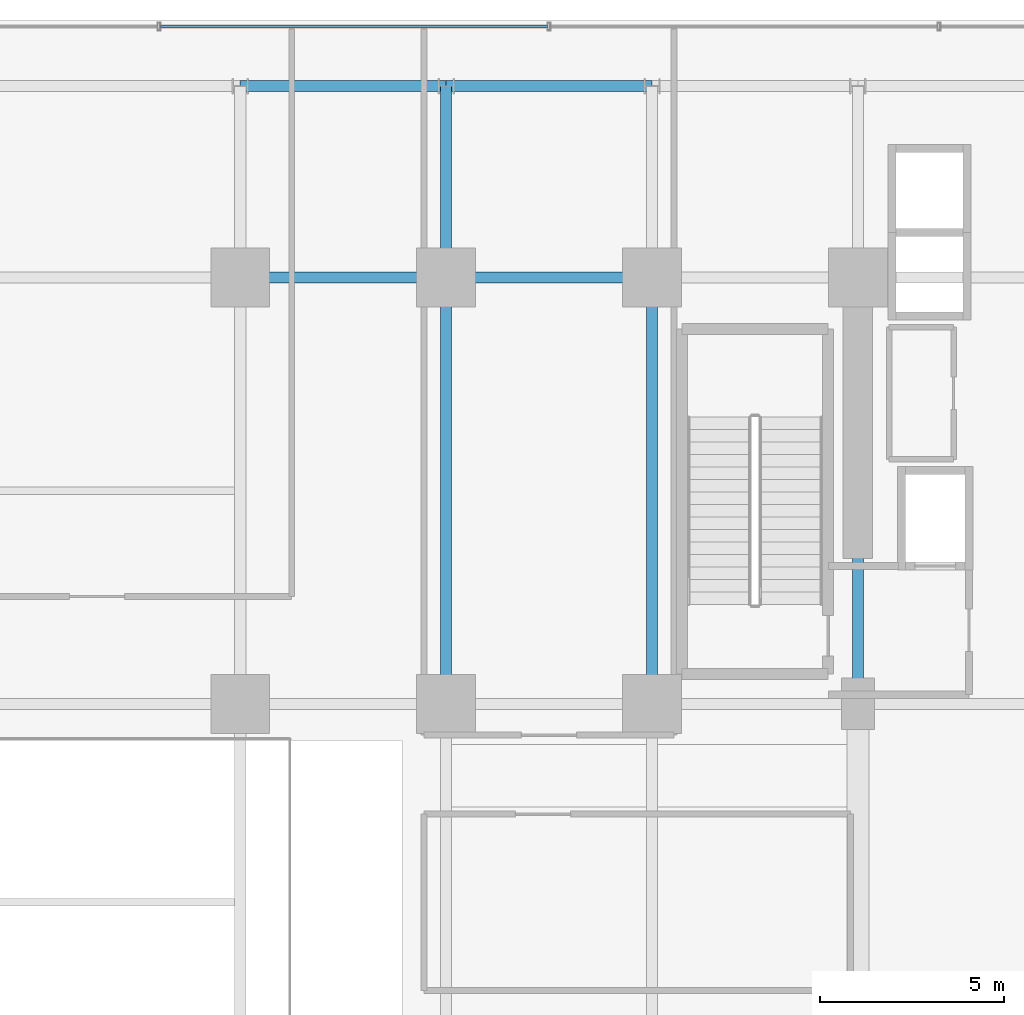
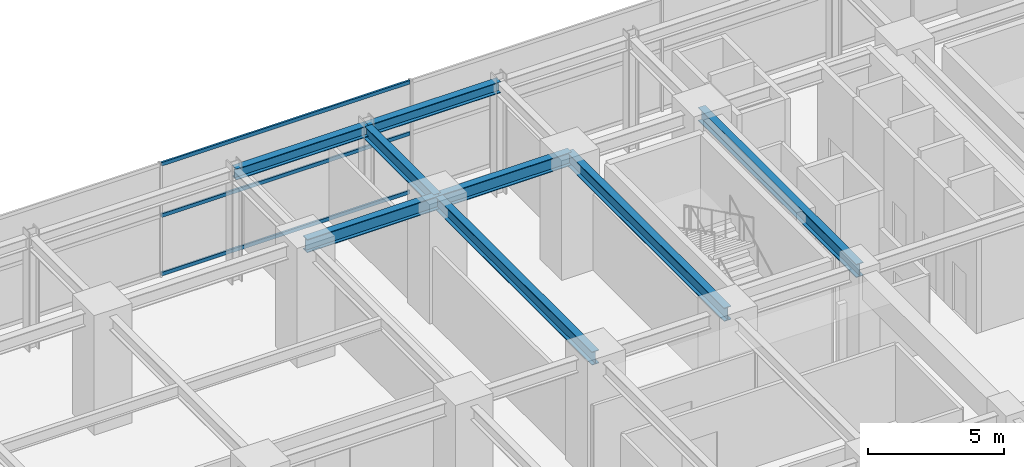
# One storey, part 17 of 32: 8 beams, 3 members, 1 element without a shape of its own.
"""IFC4 building model written with IfcOpenShell, lengths in metres."""

from ifc_helpers import new_model, si_unit, direction, frame, origin, origin_2d, place, context, subcontext, project, spatial, hollow_rectangle, i_section, extrude, source, transform, mapped, material, material_profile, profile_set, type_object, element, aggregate, save


model = new_model("IFC4")

# Units and contexts
model_context = context("Model", 3, precision=1e-05, world=origin(), true_north=direction((0.0, 1.0)))
body_context = subcontext(model_context, "Body", "Model", "MODEL_VIEW")
ifc_project = project(units=[si_unit("LENGTHUNIT", "METRE"), si_unit("AREAUNIT", "SQUARE_METRE"), si_unit("VOLUMEUNIT", "CUBIC_METRE"), si_unit("PLANEANGLEUNIT", "RADIAN"), si_unit("MASSUNIT", "GRAM", prefix="KILO")], contexts=[model_context])

# Site, building, storey
site_placement = place(None, origin())
site = spatial("IfcSite", under=ifc_project, at=site_placement, CompositionType="ELEMENT")
building_placement = place(site_placement, origin())
building = spatial("IfcBuilding", under=site, at=building_placement, Name="Nahalor Promenade Grand Hotel", CompositionType="ELEMENT")
storey_placement = place(building_placement, frame((0.0, 0.0, 5.39990234375)))
storey = spatial("IfcBuildingStorey", under=building, at=storey_placement, Name="L01", CompositionType="ELEMENT", Elevation=5.39990234375)

# Beams
ifc_material_1 = material(Name="Steel S355JR", Category="steel")
ifc_material_profile_1 = material_profile(ifc_material_1, i_section(OverallWidth=0.3, OverallDepth=0.6, WebThickness=0.0155, FlangeThickness=0.03, at=origin_2d()), Name="HEB 600")
ifc_profile_set_1 = profile_set([ifc_material_profile_1], Name="Steel S355JR")
beam_type_1 = type_object("IfcBeamType", Name="Beam-Girder-HEB600", PredefinedType="BEAM", material=ifc_profile_set_1)
shared_shape_1 = source(origin(), body_context, "Body", "SweptSolid", [
    extrude(i_section(OverallWidth=0.3, OverallDepth=0.6, WebThickness=0.0155, FlangeThickness=0.03, at=origin_2d()), origin(), (0.0, 0.0, 1.0), 5.599853515625),
])
beam_1_placement = place(storey_placement, frame((-8.39990234375, 17.0, 4.780029296875), z_axis=(1.0, 0.0, 0.0), x_axis=(0.0, 1.0, 0.0)))
element("IfcBeam", 1, at=beam_1_placement, inside=storey, type_object=beam_type_1, Name="BM-L01-GX-3-3", PredefinedType="BEAM", context=body_context, shape_type="MappedRepresentation", body=[
    mapped(shared_shape_1, transform((0.0, 0.0, 0.0), scale=1.0)),
])
shared_shape_2 = source(origin(), body_context, "Body", "SweptSolid", [
    extrude(i_section(OverallWidth=0.3, OverallDepth=0.6, WebThickness=0.0155, FlangeThickness=0.03, at=origin_2d()), origin(), (0.0, 0.0, 1.0), 5.60009765625),
])
beam_2_placement = place(storey_placement, frame((-2.800048828125, 17.0, 4.780029296875), z_axis=(1.0, 0.0, 0.0), x_axis=(0.0, 1.0, 0.0)))
element("IfcBeam", 2, at=beam_2_placement, inside=storey, type_object=beam_type_1, Name="BM-L01-GX-3-4", PredefinedType="BEAM", context=body_context, shape_type="MappedRepresentation", body=[
    mapped(shared_shape_2, transform((0.0, 0.0, 0.0), scale=1.0)),
])
shared_shape_3 = source(origin(), body_context, "Body", "SweptSolid", [
    extrude(i_section(OverallWidth=0.3, OverallDepth=0.6, WebThickness=0.0155, FlangeThickness=0.03, at=origin_2d()), origin(), (0.0, 0.0, 1.0), 5.199951171875),
])
beam_3_placement = place(storey_placement, frame((-2.800048828125, 17.0, 4.780029296875), z_axis=(0.0, 1.0, 0.0), x_axis=(-1.0, 0.0, 0.0)))
element("IfcBeam", 3, at=beam_3_placement, inside=storey, type_object=beam_type_1, Name="BM-L01-GY-2-4", PredefinedType="BEAM", context=body_context, shape_type="MappedRepresentation", body=[
    mapped(shared_shape_3, transform((0.0, 0.0, 0.0), scale=1.0)),
])
shared_shape_4 = source(origin(), body_context, "Body", "SweptSolid", [
    extrude(i_section(OverallWidth=0.3, OverallDepth=0.6, WebThickness=0.0155, FlangeThickness=0.03, at=origin_2d()), origin(), (0.0, 0.0, 1.0), 11.60009765625),
])
for number, where, z_axis, x_axis, name in (
    (4, (-2.800048828125, 5.39990234375, 4.780029296875), (0.0, 1.0, 0.0), (-1.0, 0.0, 0.0), "BM-L01-GY-2-3"),
    (5, (2.800048828125, 5.39990234375, 4.780029296875), (0.0, 1.0, 0.0), (-1.0, 0.0, 0.0), "BM-L01-GY-3-3"),
    (6, (8.39990234375, 5.39990234375, 4.780029296875), (0.0, 1.0, 0.0), (-1.0, 0.0, 0.0), "BM-L01-GY-4-3"),
):
    element("IfcBeam", number, at=place(storey_placement, frame(where, z_axis=z_axis, x_axis=x_axis)), inside=storey, type_object=beam_type_1, Name=name, PredefinedType="BEAM", context=body_context, shape_type="MappedRepresentation", body=[
        mapped(shared_shape_4, transform((0.0, 0.0, 0.0), scale=1.0)),
    ])
ifc_material_profile_2 = material_profile(ifc_material_1, i_section(OverallWidth=0.3, OverallDepth=0.5, WebThickness=0.0145, FlangeThickness=0.028, at=origin_2d()), Name="HEB 500")
ifc_profile_set_2 = profile_set([ifc_material_profile_2], Name="Steel S355JR")
beam_type_2 = type_object("IfcBeamType", Name="Beam-Spandrel-HEB500", PredefinedType="SPANDREL", material=ifc_profile_set_2)
shared_shape_5 = source(origin(), body_context, "Body", "SweptSolid", [
    extrude(i_section(OverallWidth=0.3, OverallDepth=0.5, WebThickness=0.0145, FlangeThickness=0.028, at=origin_2d()), origin(), (0.0, 0.0, 1.0), 5.599853515625),
])
beam_4_placement = place(storey_placement, frame((-8.39990234375, 22.199951171875, 4.830078125), z_axis=(1.0, 0.0, 0.0), x_axis=(0.0, 1.0, 0.0)))
element("IfcBeam", 7, at=beam_4_placement, inside=storey, type_object=beam_type_2, Name="BM-L01-SP-N-1", PredefinedType="SPANDREL", context=body_context, shape_type="MappedRepresentation", body=[
    mapped(shared_shape_5, transform((0.0, 0.0, 0.0), scale=1.0)),
])
shared_shape_6 = source(origin(), body_context, "Body", "SweptSolid", [
    extrude(i_section(OverallWidth=0.3, OverallDepth=0.5, WebThickness=0.0145, FlangeThickness=0.028, at=origin_2d()), origin(), (0.0, 0.0, 1.0), 5.60009765625),
])
beam_5_placement = place(storey_placement, frame((-2.800048828125, 22.199951171875, 4.830078125), z_axis=(1.0, 0.0, 0.0), x_axis=(0.0, 1.0, 0.0)))
element("IfcBeam", 8, at=beam_5_placement, inside=storey, type_object=beam_type_2, Name="BM-L01-SP-N-2", PredefinedType="SPANDREL", context=body_context, shape_type="MappedRepresentation", body=[
    mapped(shared_shape_6, transform((0.0, 0.0, 0.0), scale=1.0)),
])

# Curtain wall, members
ifc_material_2 = material(Name="Anodised Bronze Aluminium EN AW-6063 T6", Category="aluminium")
curtain_wall_type = type_object("IfcCurtainWallType", Name="CW1 Waterfront Podium Bronze Arcade Curtain Wall", PredefinedType="USERDEFINED", material=ifc_material_2)
curtain_wall_placement = place(storey_placement, origin())
curtain_wall = element("IfcCurtainWall", 9, at=curtain_wall_placement, inside=storey, type_object=curtain_wall_type, Name="L01 Curtain Wall CW-L01-N", ObjectType="UNITISED_CURTAIN_WALL", PredefinedType="USERDEFINED")
ifc_material_profile_3 = material_profile(ifc_material_2, hollow_rectangle(XDim=0.08, YDim=0.16, WallThickness=0.004, at=origin_2d()), Name="CWT 80x160x4")
ifc_profile_set_3 = profile_set([ifc_material_profile_3], Name="Anodised Bronze Aluminium EN AW-6063 T6")
member_type = type_object("IfcMemberType", Name="CWT1 Podium Bronze Transom 80x160", PredefinedType="USERDEFINED", material=ifc_profile_set_3)
shared_shape_7 = source(origin(), body_context, "Body", "SweptSolid", [
    extrude(hollow_rectangle(XDim=0.08, YDim=0.16, WallThickness=0.004, at=origin_2d()), origin(), (0.0, 0.0, 1.0), 10.526611328125),
])
member_1_placement = place(storey_placement, frame((-10.566650390625, 23.820068359375, 0.080078125), z_axis=(1.0, 0.0, 0.0), x_axis=(0.0, 1.0, 0.0)))
member_1 = element("IfcMember", 10, at=member_1_placement, type_object=member_type, Name="CW-L01-N Transom 2-0", ObjectType="TRANSOM", PredefinedType="USERDEFINED", context=body_context, shape_type="MappedRepresentation", body=[
    mapped(shared_shape_7, transform((0.0, 0.0, 0.0), scale=1.0)),
])
member_2_placement = place(storey_placement, frame((-10.566650390625, 23.820068359375, 2.7001953125), z_axis=(1.0, 0.0, 0.0), x_axis=(0.0, 1.0, 0.0)))
member_2 = element("IfcMember", 11, at=member_2_placement, type_object=member_type, Name="CW-L01-N Transom 2-1", ObjectType="TRANSOM", PredefinedType="USERDEFINED", context=body_context, shape_type="MappedRepresentation", body=[
    mapped(shared_shape_7, transform((0.0, 0.0, 0.0), scale=1.0)),
])
member_3_placement = place(storey_placement, frame((-10.566650390625, 23.820068359375, 5.0), z_axis=(1.0, 0.0, 0.0), x_axis=(0.0, 1.0, 0.0)))
member_3 = element("IfcMember", 12, at=member_3_placement, type_object=member_type, Name="CW-L01-N Transom 2-2", ObjectType="TRANSOM", PredefinedType="USERDEFINED", context=body_context, shape_type="MappedRepresentation", body=[
    mapped(shared_shape_7, transform((0.0, 0.0, 0.0), scale=1.0)),
])
aggregate(curtain_wall, [member_1, member_2, member_3])

save(model, "model.ifc")
